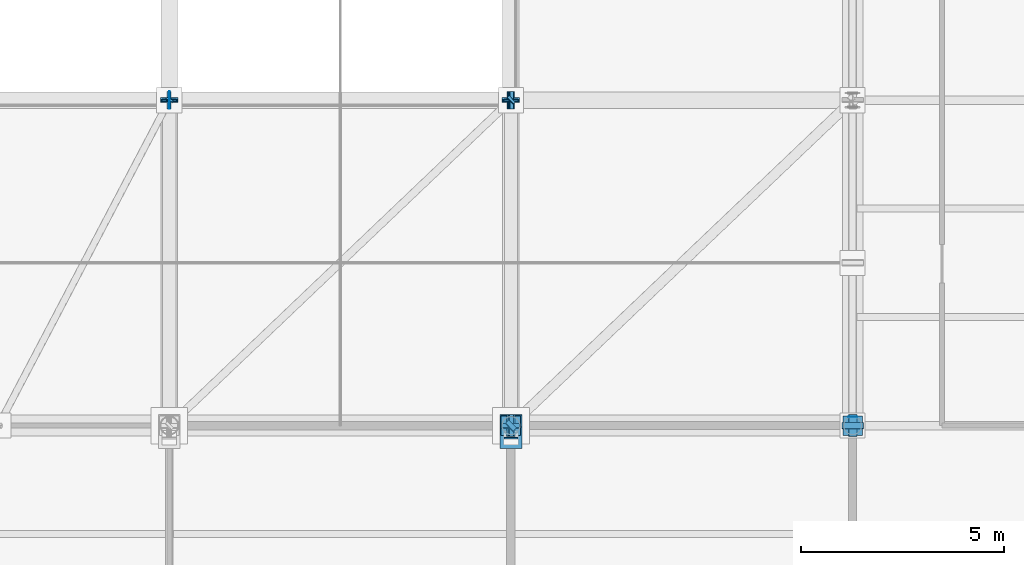
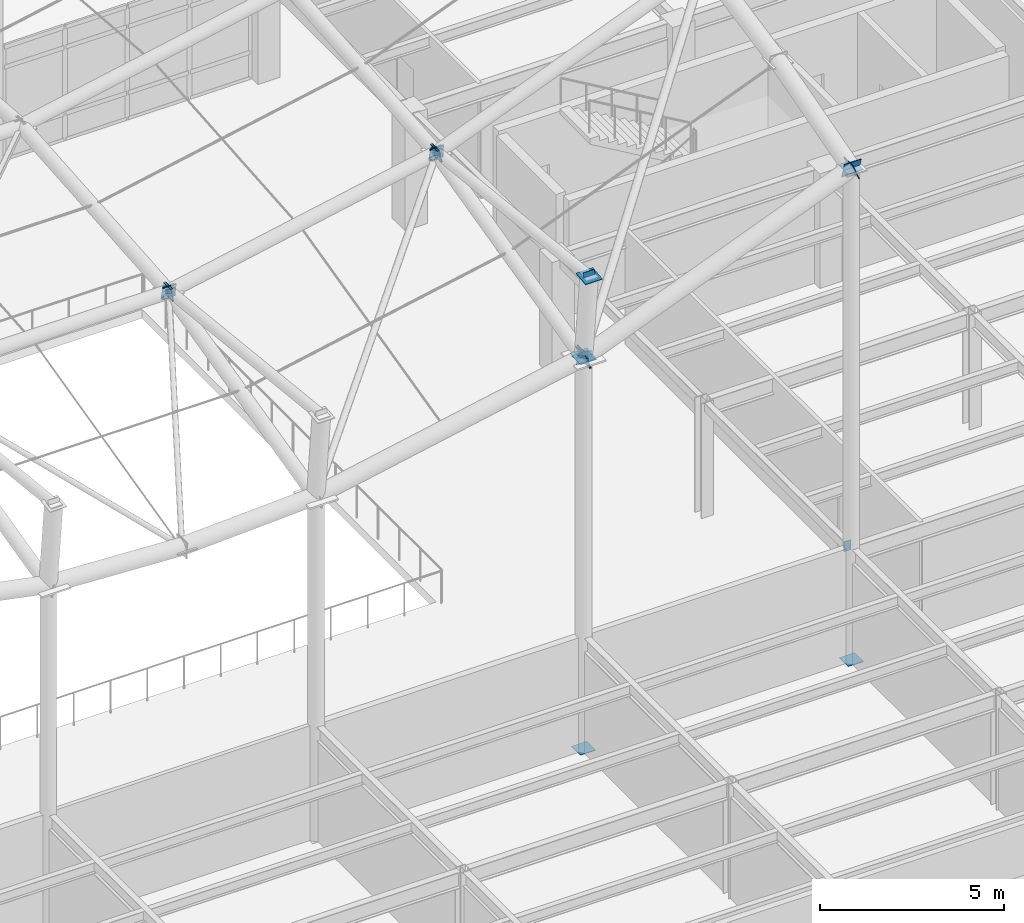
# One storey, part 96 of 138: 26 discrete accessories.
"""IFC4 building model written with IfcOpenShell, lengths in metres."""

from ifc_helpers import new_model, si_unit, direction, frame, origin, origin_2d, place, context, subcontext, project, spatial, rectangle, extrude, material, layer, layer_set, type_object, element, save


model = new_model("IFC4")

# Units and contexts
model_context = context("Model", 3, precision=1e-05, world=origin(), true_north=direction((0.0, 1.0)))
body_context = subcontext(model_context, "Body", "Model", "MODEL_VIEW")
ifc_project = project(units=[si_unit("LENGTHUNIT", "METRE"), si_unit("AREAUNIT", "SQUARE_METRE"), si_unit("VOLUMEUNIT", "CUBIC_METRE"), si_unit("PLANEANGLEUNIT", "RADIAN"), si_unit("MASSUNIT", "GRAM", prefix="KILO")], contexts=[model_context])

# Site, building, storey
site_placement = place(None, origin())
site = spatial("IfcSite", under=ifc_project, at=site_placement, CompositionType="ELEMENT")
building_placement = place(site_placement, origin())
building = spatial("IfcBuilding", under=site, at=building_placement, Name="Kranzveld Transit Interchange", CompositionType="ELEMENT")
storey_placement = place(building_placement, frame((0.0, 0.0, 5.43994140625)))
storey = spatial("IfcBuildingStorey", under=building, at=storey_placement, Name="L01", CompositionType="ELEMENT", Elevation=5.43994140625)

# Discrete accessories
ifc_material = material(Name="Steel S355JR", Category="steel")
ifc_layer = layer(ifc_material, 0.02001953125)
ifc_layer_set = layer_set([ifc_layer], Name="Steel S355JR")
discrete_accessory_type = type_object("IfcDiscreteAccessoryType", Name="Hollow Section End Cap Bracket 20 S355JR", PredefinedType="BRACKET", material=ifc_layer_set)
for number, where, z_axis, x_axis, name in (
    (1, (92.39990234375, 56.0, 0.004150390625), (0.0, 0.0, -1.0), (1.0, 0.0, 0.0), "Hollow Section End Cap C-CHS457-1"),
    (2, (92.39990234375, 56.0, 12.947998046875), (0.0, 0.0, 1.0), (1.0, 0.0, 0.0), "Hollow Section End Cap C-CHS457-2"),
    (3, (100.800048828125, 56.0, 0.004150390625), (0.0, 0.0, -1.0), (1.0, 0.0, 0.0), "Hollow Section End Cap C-CHS457-1"),
    (4, (100.800048828125, 56.0, 16.30615234375), (0.0, 0.0, 1.0), (1.0, 0.0, 0.0), "Hollow Section End Cap C-CHS457-2"),
):
    element("IfcDiscreteAccessory", number, at=place(storey_placement, frame(where, z_axis=z_axis, x_axis=x_axis)), inside=storey, type_object=discrete_accessory_type, Name=name, PredefinedType="BRACKET", context=body_context, shape_type="SweptSolid", body=[
        extrude(rectangle(XDim=0.48095703125, YDim=0.48095703125, at=origin_2d()), origin(), (0.0, 0.0, 1.0), 0.02001953125),
    ])
discrete_accessory_1_placement = place(storey_placement, frame((100.800048828125, 56.222412109375, 3.650146484375), z_axis=(0.0, -1.0, 0.0), x_axis=(1.0, 0.0, 0.0)))
element("IfcDiscreteAccessory", 5, at=discrete_accessory_1_placement, inside=storey, type_object=discrete_accessory_type, Name="Hollow Section End Cap SP-RHS300-1", PredefinedType="BRACKET", context=body_context, shape_type="SweptSolid", body=[
    extrude(rectangle(XDim=0.22412109375, YDim=0.323974609375, at=origin_2d()), origin(), (0.0, 0.0, 1.0), 0.02001953125),
])
for number, where, z_axis, x_axis, name in (
    (6, (92.39599609375, 56.0, 12.981201171875), (0.981043742203, 0.0, 0.193786418213), (0.0, 1.0, 0.0), "Hollow Section End Cap B-RNG508-2"),
    (7, (92.40380859375, 56.0, 12.983642578125), (-0.927643517938, 0.0, -0.373466870858), (0.0, -1.0, 0.0), "Hollow Section End Cap B-RNG508-1"),
):
    element("IfcDiscreteAccessory", number, at=place(storey_placement, frame(where, z_axis=z_axis, x_axis=x_axis)), inside=storey, type_object=discrete_accessory_type, Name=name, PredefinedType="BRACKET", context=body_context, shape_type="SweptSolid", body=[
        extrude(rectangle(XDim=0.531982421875, YDim=0.531982421875, at=origin_2d()), origin(), (0.0, 0.0, 1.0), 0.020263671875),
    ])
for number, where, z_axis, x_axis, name in (
    (8, (100.79638671875, 56.0, 16.30859375), (0.930155221331, 0.0, 0.367166534736), (0.0, 1.0, 0.0), "Hollow Section End Cap B-RNG508-2"),
    (9, (100.800048828125, 56.00390625, 16.31103515625), (0.0, -0.963343002143, -0.268272734774), (1.0, 0.0, 0.0), "Hollow Section End Cap B-RNG508-1"),
):
    element("IfcDiscreteAccessory", number, at=place(storey_placement, frame(where, z_axis=z_axis, x_axis=x_axis)), inside=storey, type_object=discrete_accessory_type, Name=name, PredefinedType="BRACKET", context=body_context, shape_type="SweptSolid", body=[
        extrude(rectangle(XDim=0.531982421875, YDim=0.531982421875, at=origin_2d()), origin(), (0.0, 0.0, 1.0), 0.02001953125),
    ])
discrete_accessory_2_placement = place(storey_placement, frame((84.0, 63.99609375, 13.2685546875), z_axis=(0.0, 0.993883734674, -0.110431526075), x_axis=(-1.0, 0.0, 0.0)))
element("IfcDiscreteAccessory", 10, at=discrete_accessory_2_placement, inside=storey, type_object=discrete_accessory_type, Name="Hollow Section End Cap ST-CHS324-1", PredefinedType="BRACKET", context=body_context, shape_type="SweptSolid", body=[
    extrude(rectangle(XDim=0.347900390625, YDim=0.347900390625, at=origin_2d()), origin(), (0.0, 0.0, 1.0), 0.019775390625),
])
discrete_accessory_3_placement = place(storey_placement, frame((92.39990234375, 55.99951171875, 13.006103515625), z_axis=(0.0, 0.109100928002, -0.994030677348), x_axis=(-1.0, 0.0, 0.0)))
element("IfcDiscreteAccessory", 11, at=discrete_accessory_3_placement, inside=storey, type_object=discrete_accessory_type, Name="Hollow Section End Cap C-MST508-1", PredefinedType="BRACKET", context=body_context, shape_type="SweptSolid", body=[
    extrude(rectangle(XDim=0.531982421875, YDim=0.531982421875, at=origin_2d()), origin(), (0.0, 0.0, 1.0), 0.02001953125),
])
discrete_accessory_4_placement = place(storey_placement, frame((92.39990234375, 55.700439453125, 15.828125), z_axis=(0.0, -0.110431526075, 0.993883734674), x_axis=(1.0, 0.0, 0.0)))
element("IfcDiscreteAccessory", 12, at=discrete_accessory_4_placement, inside=storey, type_object=discrete_accessory_type, Name="Hollow Section End Cap C-MST508-2", PredefinedType="BRACKET", context=body_context, shape_type="SweptSolid", body=[
    extrude(rectangle(XDim=0.531982421875, YDim=0.531982421875, at=origin_2d()), origin(), (0.0, 0.0, 1.0), 0.019775390625),
])
for number, where, z_axis, x_axis, name in (
    (13, (92.39990234375, 63.99609375, 14.932373046875), (0.0, 0.995158089271, -0.098287218693), (-1.0, 0.0, 0.0), "Hollow Section End Cap ST-CHS324-1"),
    (14, (92.39990234375, 55.703857421875, 15.83154296875), (0.0, -0.993883734674, 0.110431526075), (1.0, 0.0, 0.0), "Hollow Section End Cap ST-CHS324-2"),
):
    element("IfcDiscreteAccessory", number, at=place(storey_placement, frame(where, z_axis=z_axis, x_axis=x_axis)), inside=storey, type_object=discrete_accessory_type, Name=name, PredefinedType="BRACKET", context=body_context, shape_type="SweptSolid", body=[
        extrude(rectangle(XDim=0.347900390625, YDim=0.347900390625, at=origin_2d()), origin(), (0.0, 0.0, 1.0), 0.019775390625),
    ])
discrete_accessory_5_placement = place(storey_placement, frame((84.0, 63.99609375, 13.237060546875), z_axis=(0.0, 0.970142500145, 0.242535625036), x_axis=(-1.0, 0.0, 0.0)))
element("IfcDiscreteAccessory", 15, at=discrete_accessory_5_placement, inside=storey, type_object=discrete_accessory_type, Name="Hollow Section End Cap B-RIB406-2", PredefinedType="BRACKET", context=body_context, shape_type="SweptSolid", body=[
    extrude(rectangle(XDim=0.430419921875, YDim=0.430419921875, at=origin_2d()), origin(), (0.0, 0.0, 1.0), 0.02001953125),
])
discrete_accessory_6_placement = place(storey_placement, frame((84.0, 64.00390625, 13.23828125), z_axis=(0.0, -0.997267754457, -0.073871685515), x_axis=(1.0, 0.0, 0.0)))
element("IfcDiscreteAccessory", 16, at=discrete_accessory_6_placement, inside=storey, type_object=discrete_accessory_type, Name="Hollow Section End Cap B-RIB406-1", PredefinedType="BRACKET", context=body_context, shape_type="SweptSolid", body=[
    extrude(rectangle(XDim=0.430419921875, YDim=0.430419921875, at=origin_2d()), origin(), (0.0, 0.0, 1.0), 0.019775390625),
])
for number, where, z_axis, x_axis, name in (
    (17, (92.39990234375, 56.00390625, 12.953125), (0.0, -0.970142500145, -0.242535625036), (1.0, 0.0, 0.0), "Hollow Section End Cap B-RIB406-1"),
    (18, (92.39990234375, 63.99609375, 14.901123046875), (0.0, 0.97293655072, 0.231072430796), (-1.0, 0.0, 0.0), "Hollow Section End Cap B-RIB406-2"),
):
    element("IfcDiscreteAccessory", number, at=place(storey_placement, frame(where, z_axis=z_axis, x_axis=x_axis)), inside=storey, type_object=discrete_accessory_type, Name=name, PredefinedType="BRACKET", context=body_context, shape_type="SweptSolid", body=[
        extrude(rectangle(XDim=0.430419921875, YDim=0.430419921875, at=origin_2d()), origin(), (0.0, 0.0, 1.0), 0.02001953125),
    ])
discrete_accessory_7_placement = place(storey_placement, frame((92.39990234375, 64.00390625, 14.90234375), z_axis=(0.0, -0.997267754457, -0.073871685515), x_axis=(1.0, 0.0, 0.0)))
element("IfcDiscreteAccessory", 19, at=discrete_accessory_7_placement, inside=storey, type_object=discrete_accessory_type, Name="Hollow Section End Cap B-RIB406-1", PredefinedType="BRACKET", context=body_context, shape_type="SweptSolid", body=[
    extrude(rectangle(XDim=0.430419921875, YDim=0.430419921875, at=origin_2d()), origin(), (0.0, 0.0, 1.0), 0.019775390625),
])
for number, where, z_axis, x_axis, name in (
    (20, (83.99609375, 64.0, 13.238037109375), (1.0, 0.0, 0.0), (0.0, 1.0, 0.0), "Hollow Section End Cap B-RIB406-2"),
    (21, (84.00390625, 64.0, 13.23876953125), (-0.980580675691, 0.0, -0.196116135138), (0.0, -1.0, 0.0), "Hollow Section End Cap B-RIB406-1"),
):
    element("IfcDiscreteAccessory", number, at=place(storey_placement, frame(where, z_axis=z_axis, x_axis=x_axis)), inside=storey, type_object=discrete_accessory_type, Name=name, PredefinedType="BRACKET", context=body_context, shape_type="SweptSolid", body=[
        extrude(rectangle(XDim=0.430419921875, YDim=0.430419921875, at=origin_2d()), origin(), (0.0, 0.0, 1.0), 0.02001953125),
    ])
for number, where, z_axis, x_axis, name in (
    (22, (92.39599609375, 64.0, 14.9013671875), (0.981043742203, 0.0, 0.193786418213), (0.0, 1.0, 0.0), "Hollow Section End Cap B-RIB406-2"),
    (23, (92.40380859375, 64.0, 14.903564453125), (-0.931777391985, 0.0, -0.363030152722), (0.0, -1.0, 0.0), "Hollow Section End Cap B-RIB406-1"),
):
    element("IfcDiscreteAccessory", number, at=place(storey_placement, frame(where, z_axis=z_axis, x_axis=x_axis)), inside=storey, type_object=discrete_accessory_type, Name=name, PredefinedType="BRACKET", context=body_context, shape_type="SweptSolid", body=[
        extrude(rectangle(XDim=0.430419921875, YDim=0.430419921875, at=origin_2d()), origin(), (0.0, 0.0, 1.0), 0.020263671875),
    ])
discrete_accessory_8_placement = place(storey_placement, frame((92.402587890625, 56.00244140625, 12.93359375), z_axis=(-0.664392123473, -0.627481449947, -0.406017408789), x_axis=(0.686623532964, -0.72701315255, 0.0)))
element("IfcDiscreteAccessory", 24, at=discrete_accessory_8_placement, inside=storey, type_object=discrete_accessory_type, Name="Hollow Section End Cap BR-CHS244-1", PredefinedType="BRACKET", context=body_context, shape_type="SweptSolid", body=[
    extrude(rectangle(XDim=0.2685546875, YDim=0.2685546875, at=origin_2d()), origin(), (0.0, 0.0, 1.0), 0.019775390625),
])
discrete_accessory_9_placement = place(storey_placement, frame((92.397216796875, 63.997314453125, 14.880859375), z_axis=(0.69424489048, 0.657705685718, 0.292313638097), x_axis=(-0.687744647911, 0.725952683906, 0.0)))
element("IfcDiscreteAccessory", 25, at=discrete_accessory_9_placement, inside=storey, type_object=discrete_accessory_type, Name="Hollow Section End Cap BR-CHS194-2", PredefinedType="BRACKET", context=body_context, shape_type="SweptSolid", body=[
    extrude(rectangle(XDim=0.2177734375, YDim=0.2177734375, at=origin_2d()), origin(), (0.0, 0.0, 1.0), 0.02001953125),
])
discrete_accessory_10_placement = place(storey_placement, frame((83.998291015625, 63.99658203125, 13.237060546875), z_axis=(0.45440694448, 0.859688813881, 0.233344106625), x_axis=(-0.884094940295, 0.467307325584, 0.0)))
element("IfcDiscreteAccessory", 26, at=discrete_accessory_10_placement, inside=storey, type_object=discrete_accessory_type, Name="Hollow Section End Cap BR-CHS168-1", PredefinedType="BRACKET", context=body_context, shape_type="SweptSolid", body=[
    extrude(rectangle(XDim=0.1923828125, YDim=0.1923828125, at=origin_2d()), origin(), (0.0, 0.0, 1.0), 0.019775390625),
])

save(model, "model.ifc")
